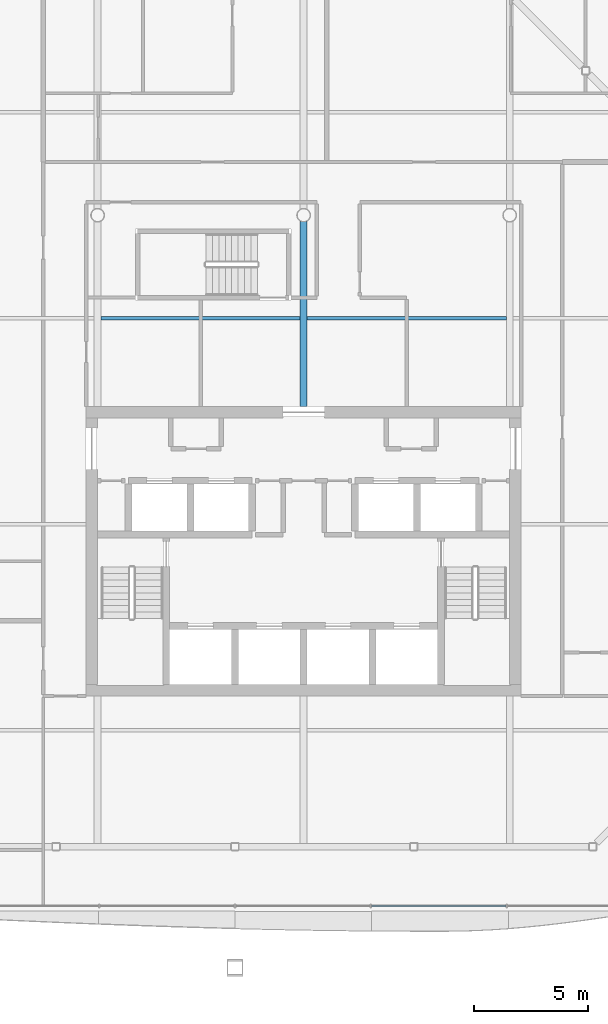
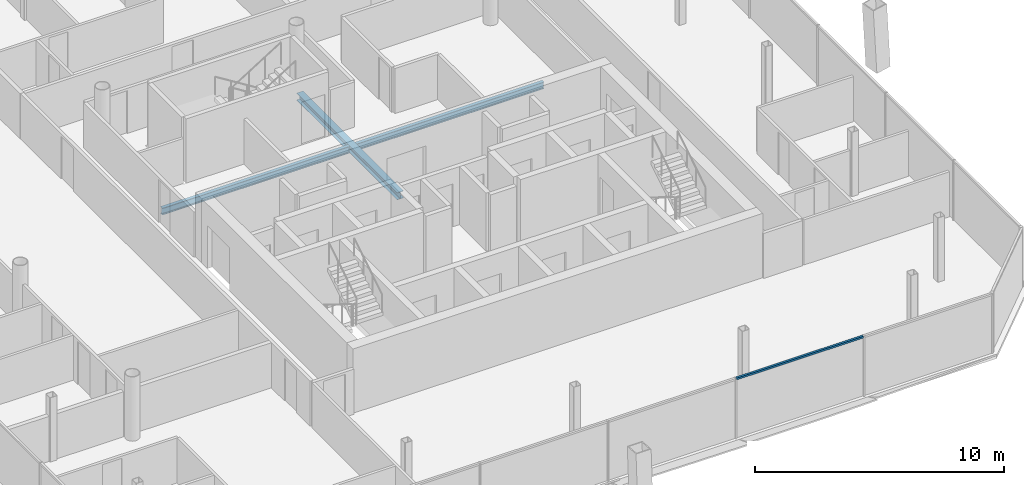
# One storey, part 7 of 20: 3 beams, 1 member, 1 element without a shape of its own.
"""IFC4 building model written with IfcOpenShell, lengths in metres."""

from ifc_helpers import new_model, si_unit, direction, frame, origin, origin_2d, place, context, subcontext, project, spatial, rectangle, i_section, extrude, material, material_profile, profile_set, type_object, element, aggregate, save


model = new_model("IFC4")

# Units and contexts
model_context = context("Model", 3, precision=1e-05, world=origin(), true_north=direction((0.0, 1.0)))
body_context = subcontext(model_context, "Body", "Model", "MODEL_VIEW")
ifc_project = project(units=[si_unit("LENGTHUNIT", "METRE"), si_unit("AREAUNIT", "SQUARE_METRE"), si_unit("VOLUMEUNIT", "CUBIC_METRE"), si_unit("PLANEANGLEUNIT", "RADIAN"), si_unit("MASSUNIT", "GRAM", prefix="KILO")], contexts=[model_context])

# Site, building, storey
site_placement = place(None, origin())
site = spatial("IfcSite", under=ifc_project, at=site_placement, CompositionType="ELEMENT")
building_placement = place(site_placement, origin())
building = spatial("IfcBuilding", under=site, at=building_placement, Name="Tskaro Facet Tower", CompositionType="ELEMENT")
storey_placement = place(building_placement, frame((0.0, 0.0, 178.5)))
storey = spatial("IfcBuildingStorey", under=building, at=storey_placement, Name="L44", CompositionType="ELEMENT", Elevation=178.5)

# Curtain wall, member
ifc_material_1 = material(Name="Bronze anodised aluminium 6063-T6", Category="aluminium")
curtain_wall_type = type_object("IfcCurtainWallType", Name="Bronze residence curtain wall (FW3)", PredefinedType="NOTDEFINED", material=ifc_material_1)
curtain_wall_placement = place(storey_placement, origin())
curtain_wall = element("IfcCurtainWall", 1, at=curtain_wall_placement, inside=storey, type_object=curtain_wall_type, Name="FW3 south facet L44", PredefinedType="NOTDEFINED")
ifc_material_profile_1 = material_profile(ifc_material_1, rectangle(XDim=0.10009765625, YDim=0.090087890625, at=origin_2d()), Name="Transom 100x90")
ifc_profile_set_1 = profile_set([ifc_material_profile_1], Name="Bronze anodised aluminium 6063-T6")
member_type = type_object("IfcMemberType", Name="FW3 bronze transom 100x90", PredefinedType="USERDEFINED", material=ifc_profile_set_1)
member_placement = place(storey_placement, frame((2.958251953125, -21.176025390625, 2.905029296875), z_axis=(1.0, 0.0, 0.0), x_axis=(0.0, 1.0, 0.0)))
member = element("IfcMember", 2, at=member_placement, type_object=member_type, Name="FW3 south transom 5.1", ObjectType="TRANSOM", PredefinedType="USERDEFINED", context=body_context, shape_type="SweptSolid", body=[
    extrude(rectangle(XDim=0.10009765625, YDim=0.090087890625, at=origin_2d()), origin(), (0.0, 0.0, 1.0), 5.88330078125),
])
aggregate(curtain_wall, [member])

# Beams
ifc_material_2 = material(Name="Steel S355J2", Category="steel")
ifc_material_profile_2 = material_profile(ifc_material_2, i_section(OverallWidth=0.300048828125, OverallDepth=0.35009765625, WebThickness=0.010009765625, FlangeThickness=0.017578125, FilletRadius=0.027099609375, at=origin_2d()), Name="HE 360 A")
ifc_profile_set_2 = profile_set([ifc_material_profile_2], Name="Steel S355J2")
beam_type_1 = type_object("IfcBeamType", Name="HE 360 A girder", PredefinedType="BEAM", material=ifc_profile_set_2)
beam_placement = place(storey_placement, frame((0.0, 0.64990234375, -0.31494140625), z_axis=(0.0, 1.0, 0.0), x_axis=(-1.0, 0.0, 0.0)))
element("IfcBeam", 3, at=beam_placement, inside=storey, type_object=beam_type_1, Name="HE 360 A GB4-2-4", PredefinedType="BEAM", context=body_context, shape_type="SweptSolid", body=[
    extrude(i_section(OverallWidth=0.300048828125, OverallDepth=0.35009765625, WebThickness=0.010009765625, FlangeThickness=0.017578125, FilletRadius=0.027099609375, at=origin_2d()), origin(), (0.0, 0.0, 1.0), 8.0751953125),
])
ifc_material_profile_3 = material_profile(ifc_material_2, i_section(OverallWidth=0.159912109375, OverallDepth=0.330078125, WebThickness=0.007568359375, FlangeThickness=0.011474609375, FilletRadius=0.01806640625, at=origin_2d()), Name="IPE 330")
ifc_profile_set_3 = profile_set([ifc_material_profile_3], Name="Steel S355J2")
beam_type_2 = type_object("IfcBeamType", Name="IPE 330 secondary beam", PredefinedType="BEAM", material=ifc_profile_set_3)
for number, where, z_axis, x_axis, name in (
    (4, (-8.85009765625, 4.5, -0.304931640625), (1.0, 0.0, 0.0), (0.0, 1.0, 0.0), "IPE 330 SB4a-3-4"),
    (5, (0.14990234375, 4.5, -0.304931640625), (1.0, 0.0, 0.0), (0.0, 1.0, 0.0), "IPE 330 SB4a-4-4"),
):
    element("IfcBeam", number, at=place(storey_placement, frame(where, z_axis=z_axis, x_axis=x_axis)), inside=storey, type_object=beam_type_2, Name=name, PredefinedType="BEAM", context=body_context, shape_type="SweptSolid", body=[
        extrude(i_section(OverallWidth=0.159912109375, OverallDepth=0.330078125, WebThickness=0.007568359375, FlangeThickness=0.011474609375, FilletRadius=0.01806640625, at=origin_2d()), origin(), (0.0, 0.0, 1.0), 8.7001953125),
    ])

save(model, "model.ifc")
